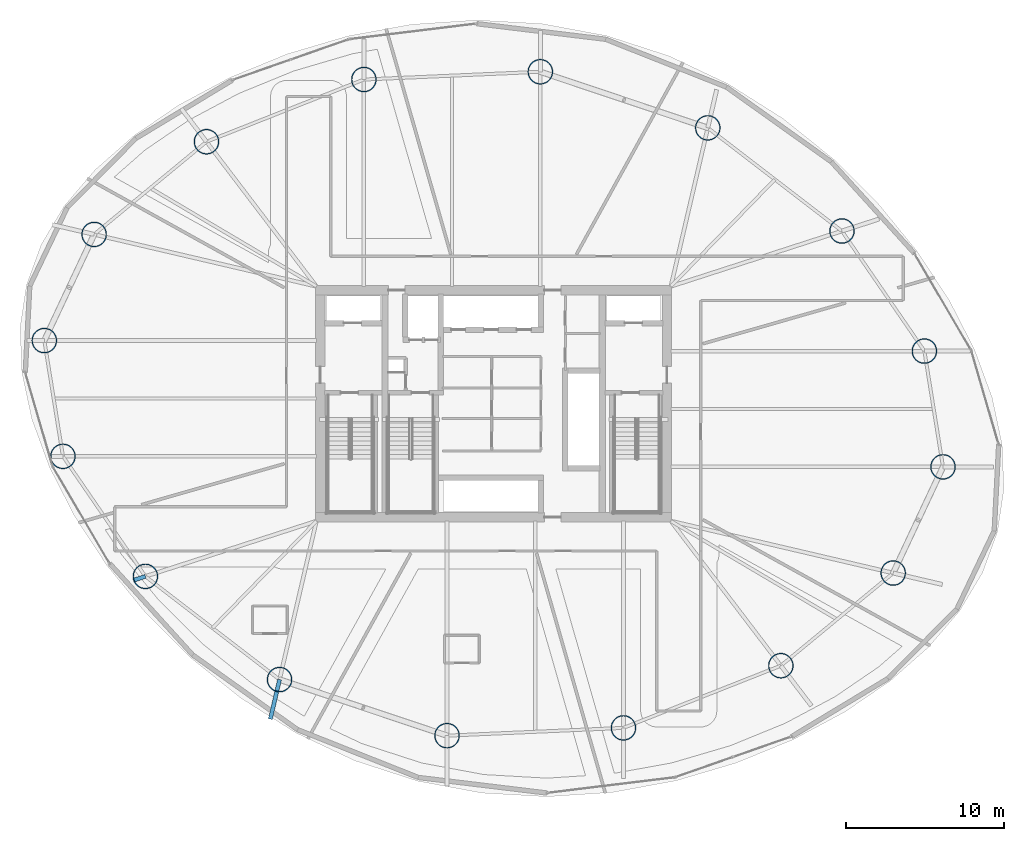
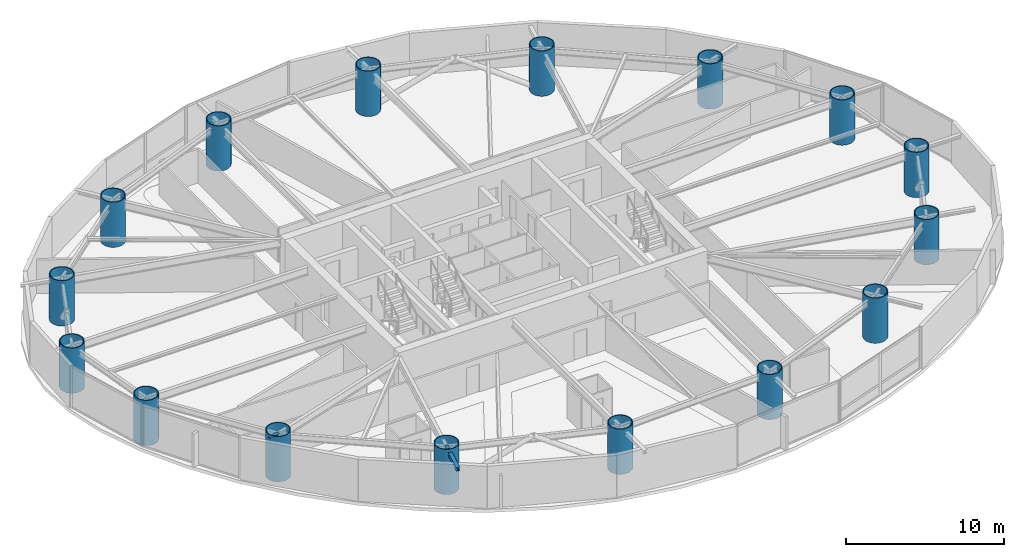
# One storey, part 1 of 30: 16 columns, 2 beams.
"""IFC4 building model written with IfcOpenShell, lengths in metres."""

from ifc_helpers import new_model, si_unit, direction, frame, origin, origin_2d, place, context, subcontext, project, spatial, hollow_circle, i_section, extrude, material, material_profile, profile_set, type_object, element, save


model = new_model("IFC4")

# Units and contexts
model_context = context("Model", 3, precision=1e-05, world=origin(), true_north=direction((0.0, 1.0)))
body_context = subcontext(model_context, "Body", "Model", "MODEL_VIEW")
ifc_project = project(units=[si_unit("LENGTHUNIT", "METRE"), si_unit("AREAUNIT", "SQUARE_METRE"), si_unit("VOLUMEUNIT", "CUBIC_METRE"), si_unit("PLANEANGLEUNIT", "RADIAN"), si_unit("MASSUNIT", "GRAM", prefix="KILO")], contexts=[model_context])

# Site, building, storey
site_placement = place(None, origin())
site = spatial("IfcSite", under=ifc_project, at=site_placement, CompositionType="ELEMENT")
building_placement = place(site_placement, origin())
building = spatial("IfcBuilding", under=site, at=building_placement, Name="Bramvorn Convention Spire", CompositionType="ELEMENT")
storey_placement = place(building_placement, frame((0.0, 0.0, 90.39990234375)))
storey = spatial("IfcBuildingStorey", under=building, at=storey_placement, Name="L21", CompositionType="ELEMENT", Elevation=90.39990234375)

# Columns
ifc_material = material(Name="Steel CSA G40.21 Grade 350 (350W)", Category="steel")
ifc_material_profile_1 = material_profile(ifc_material, hollow_circle(Radius=0.800048828125, WallThickness=0.06005859375, at=origin_2d()))
ifc_profile_set_1 = profile_set([ifc_material_profile_1], Name="Steel CSA G40.21 Grade 350 (350W) - CFT1600X60")
column_type = type_object("IfcColumnType", Name="COL-CFT1600X60", PredefinedType="COLUMN", material=ifc_profile_set_1)
for number, where, z_axis, x_axis, name in (
    (1, (66.519775390625, 21.99169921875, 0.0), (0.0, 0.0, 1.0), (1.0, 0.0, 0.0), "L21 composite CFT mega-column MC01"),
    (2, (65.338623046875, 29.340087890625, 0.0), (0.0, 0.0, 1.0), (1.0, 0.0, 0.0), "L21 composite CFT mega-column MC02"),
    (3, (60.105224609375, 36.960205078125, 0.0), (0.0, 0.0, 1.0), (1.0, 0.0, 0.0), "L21 composite CFT mega-column MC03"),
    (4, (51.59033203125, 43.509033203125, 0.0), (0.0, 0.0, 1.0), (1.0, 0.0, 0.0), "L21 composite CFT mega-column MC04"),
    (5, (40.9609375, 47.06884765625, 0.0), (0.0, 0.0, 1.0), (1.0, 0.0, 0.0), "L21 composite CFT mega-column MC05"),
    (6, (29.76220703125, 46.57666015625, 0.0), (0.0, 0.0, 1.0), (1.0, 0.0, 0.0), "L21 composite CFT mega-column MC06"),
    (7, (19.772216796875, 42.628662109375, 0.0), (0.0, 0.0, 1.0), (1.0, 0.0, 0.0), "L21 composite CFT mega-column MC07"),
    (8, (12.64111328125, 36.746337890625, 0.0), (0.0, 0.0, 1.0), (1.0, 0.0, 0.0), "L21 composite CFT mega-column MC08"),
    (9, (9.480224609375, 30.00830078125, 0.0), (0.0, 0.0, 1.0), (1.0, 0.0, 0.0), "L21 composite CFT mega-column MC09"),
    (10, (10.661376953125, 22.659912109375, 0.0), (0.0, 0.0, 1.0), (1.0, 0.0, 0.0), "L21 composite CFT mega-column MC10"),
    (11, (15.894775390625, 15.039794921875, 0.0), (0.0, 0.0, 1.0), (1.0, 0.0, 0.0), "L21 composite CFT mega-column MC11"),
    (12, (24.40966796875, 8.490966796875, 0.0), (0.0, 0.0, 1.0), (1.0, 0.0, 0.0), "L21 composite CFT mega-column MC12"),
    (13, (35.0390625, 4.93115234375, 0.0), (0.0, 0.0, 1.0), (1.0, 0.0, 0.0), "L21 composite CFT mega-column MC13"),
    (14, (46.23779296875, 5.42333984375, 0.0), (0.0, 0.0, 1.0), (1.0, 0.0, 0.0), "L21 composite CFT mega-column MC14"),
    (15, (56.227783203125, 9.371337890625, 0.0), (0.0, 0.0, 1.0), (1.0, 0.0, 0.0), "L21 composite CFT mega-column MC15"),
    (16, (63.35888671875, 15.253662109375, 0.0), (0.0, 0.0, 1.0), (1.0, 0.0, 0.0), "L21 composite CFT mega-column MC16"),
):
    element("IfcColumn", number, at=place(storey_placement, frame(where, z_axis=z_axis, x_axis=x_axis)), inside=storey, type_object=column_type, Name=name, PredefinedType="COLUMN", context=body_context, shape_type="SweptSolid", body=[
        extrude(hollow_circle(Radius=0.800048828125, WallThickness=0.06005859375, at=origin_2d()), origin(), (0.0, 0.0, 1.0), 3.5),
    ])

# Beams
ifc_material_profile_2 = material_profile(ifc_material, i_section(OverallWidth=0.25390625, OverallDepth=0.2529296875, WebThickness=0.008544921875, FlangeThickness=0.01416015625, FilletRadius=0.011962890625, at=origin_2d()))
ifc_profile_set_2 = profile_set([ifc_material_profile_2], Name="Steel CSA G40.21 Grade 350 (350W) - W250X73")
beam_type = type_object("IfcBeamType", Name="BM-W250X73", PredefinedType="BEAM", material=ifc_profile_set_2)
beam_1_placement = place(storey_placement, frame((15.894775390625, 15.039794921875, 3.12353515625), z_axis=(-0.951512841193, -0.307609026274, 0.0), x_axis=(0.307609026274, -0.951512841193, 0.0)))
element("IfcBeam", 17, at=beam_1_placement, inside=storey, type_object=beam_type, Name="L21 slab-edge cantilever tip beam MC11", PredefinedType="BEAM", context=body_context, shape_type="SweptSolid", body=[
    extrude(i_section(OverallWidth=0.25390625, OverallDepth=0.2529296875, WebThickness=0.008544921875, FlangeThickness=0.01416015625, FilletRadius=0.011962890625, at=origin_2d()), origin(), (0.0, 0.0, 1.0), 0.800048828125),
])
beam_2_placement = place(storey_placement, frame((24.40966796875, 8.490966796875, 3.12353515625), z_axis=(-0.226567827726, -0.973995389845, 0.0), x_axis=(0.973995389845, -0.226567827726, 0.0)))
element("IfcBeam", 18, at=beam_2_placement, inside=storey, type_object=beam_type, Name="L21 slab-edge cantilever tip beam MC12", PredefinedType="BEAM", context=body_context, shape_type="SweptSolid", body=[
    extrude(i_section(OverallWidth=0.25390625, OverallDepth=0.2529296875, WebThickness=0.008544921875, FlangeThickness=0.01416015625, FilletRadius=0.011962890625, at=origin_2d()), origin(), (0.0, 0.0, 1.0), 2.57763671875),
])

save(model, "model.ifc")
